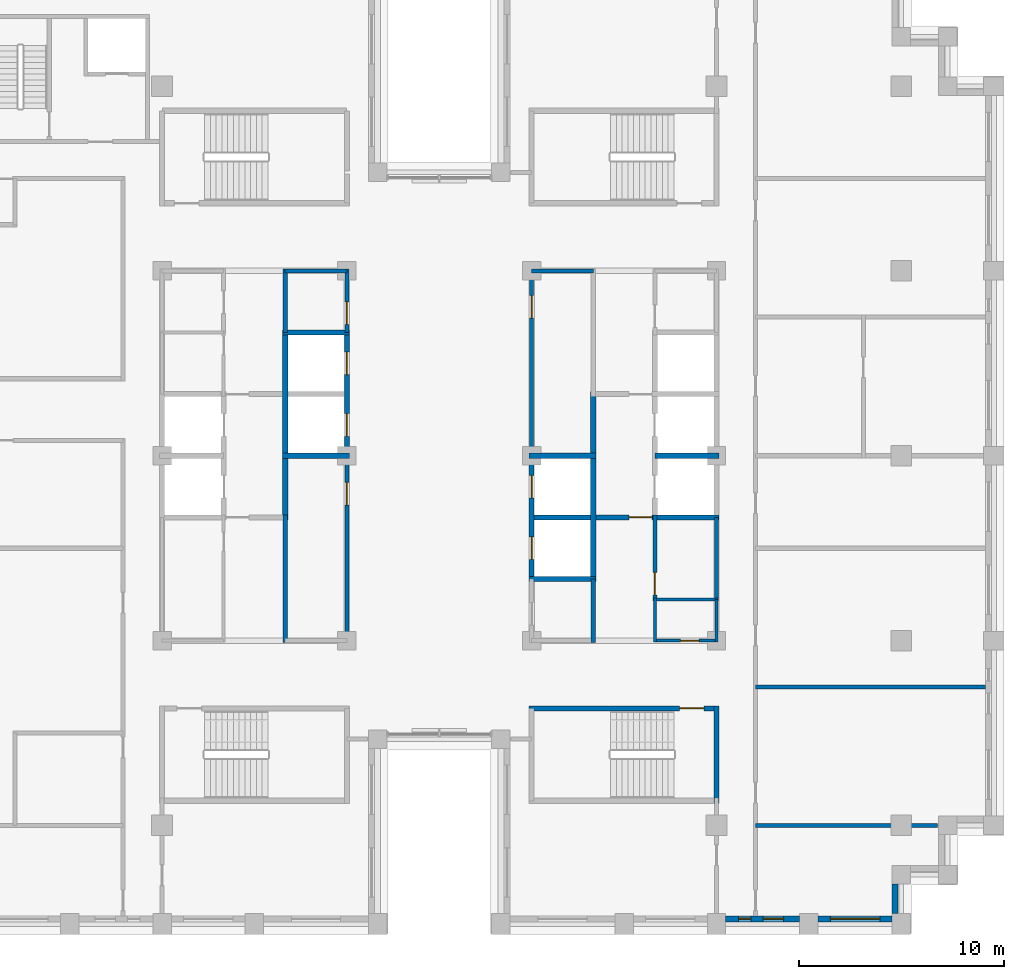
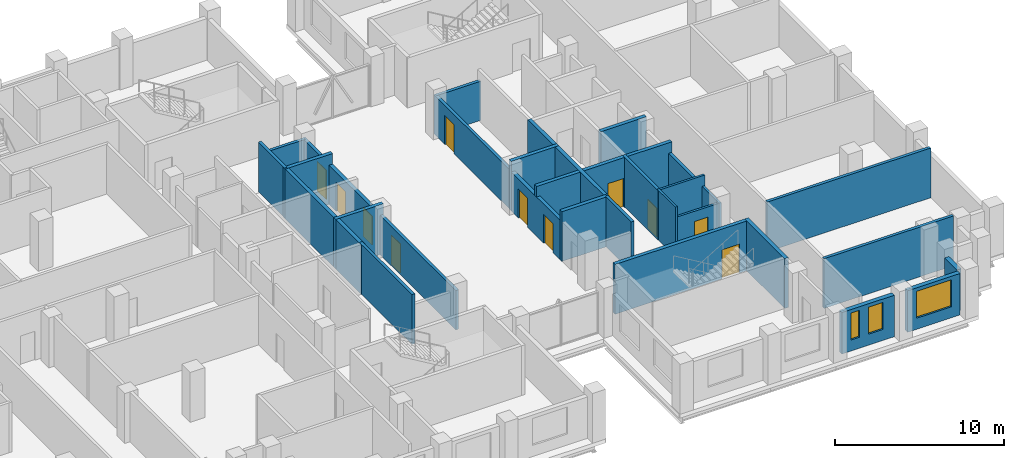
# One storey, part 8 of 15: 31 walls, 11 doors, 3 windows, 14 openings.
"""IFC4 building model written with IfcOpenShell, lengths in metres."""

from ifc_helpers import new_model, si_unit, direction, frame, frame_2d, origin, place, context, subcontext, project, spatial, rectangle, extrude, material, layer, layer_set, type_object, element, fill, save


model = new_model("IFC4")

# Units and contexts
model_context = context("Model", 3, precision=1e-05, world=origin(), true_north=direction((0.0, 1.0)))
body_context = subcontext(model_context, "Body", "Model", "MODEL_VIEW")
ifc_project = project(units=[si_unit("LENGTHUNIT", "METRE"), si_unit("AREAUNIT", "SQUARE_METRE"), si_unit("VOLUMEUNIT", "CUBIC_METRE"), si_unit("PLANEANGLEUNIT", "RADIAN"), si_unit("MASSUNIT", "GRAM", prefix="KILO")], contexts=[model_context])

# Site, building, storey
site_placement = place(None, origin())
site = spatial("IfcSite", under=ifc_project, at=site_placement, CompositionType="ELEMENT")
building_placement = place(site_placement, origin())
building = spatial("IfcBuilding", under=site, at=building_placement, Name="Corbelhall Arena Tower", CompositionType="ELEMENT")
storey_placement = place(building_placement, frame((0.0, 0.0, 232.0)))
storey = spatial("IfcBuildingStorey", under=building, at=storey_placement, Name="L49", CompositionType="ELEMENT", Elevation=232.0)

# Wall, openings, windows
ifc_material_1 = material(Name="Precast concrete C40/50 with granite facing", Category="masonry")
ifc_layer_1 = layer(ifc_material_1, 0.300048828125)
ifc_layer_set_1 = layer_set([ifc_layer_1], Name="EV-IW1 Infill panel 300")
wall_type_1 = type_object("IfcWallType", Name="EV-IW1 Infill panel 300", PredefinedType="SOLIDWALL", material=ifc_layer_set_1)
wall_1_placement = place(storey_placement, frame((13.949951171875, -22.550048828125, 0.0), z_axis=(0.0, 0.0, 1.0), x_axis=(1.0, 0.0, 0.0)))
wall_1 = element("IfcWall", 1, at=wall_1_placement, inside=storey, type_object=wall_type_1, Name="Infill panel IW1", PredefinedType="SOLIDWALL", context=body_context, shape_type="SweptSolid", body=[
    extrude(rectangle(XDim=3.60009765625, YDim=0.300048828125, at=frame_2d((1.800048828125, 0.0))), origin(), (0.0, 0.0, 1.0), 2.99951171875),
])
opening_1_placement = place(wall_1_placement, frame((0.625, 0.0, 0.800048828125)))
opening_1 = element("IfcOpeningElement", 2, at=opening_1_placement, cuts=wall_1, Name="Opening WN5", PredefinedType="OPENING", context=body_context, shape_type="SweptSolid", body=[
    extrude(rectangle(XDim=0.60009765625, YDim=1.949951171875, at=frame_2d((0.300048828125, 0.97509765625))), frame((0.0, 0.14990234375, 0.0), z_axis=(0.0, -1.0, 0.0), x_axis=(1.0, 0.0, 0.0)), (0.0, 0.0, 1.0), 0.300048828125),
])
opening_2_placement = place(wall_1_placement, frame((1.824951171875, 0.0, 0.800048828125)))
opening_2 = element("IfcOpeningElement", 3, at=opening_2_placement, cuts=wall_1, Name="Opening WN6", PredefinedType="OPENING", context=body_context, shape_type="SweptSolid", body=[
    extrude(rectangle(XDim=1.0, YDim=1.949951171875, at=frame_2d((0.5, 0.97509765625))), frame((0.0, 0.14990234375, 0.0), z_axis=(0.0, -1.0, 0.0), x_axis=(1.0, 0.0, 0.0)), (0.0, 0.0, 1.0), 0.300048828125),
])
ifc_material_2 = material(Name="Aluminium black anodised", Category="aluminium")
window_type_1 = type_object("IfcWindowType", Name="EV-WN5 Office window 600", PartitioningType="SINGLE_PANEL", PredefinedType="WINDOW", material=ifc_material_2)
window_1_placement = place(opening_1_placement, origin())
window_1 = element("IfcWindow", 4, at=window_1_placement, inside=storey, type_object=window_type_1, Name="Window WN5", OverallHeight=1.949951171875, OverallWidth=0.60009765625, PartitioningType="SINGLE_PANEL", PredefinedType="WINDOW", context=body_context, shape_type="SweptSolid", body=[
    extrude(rectangle(XDim=0.60009765625, YDim=1.949951171875, at=frame_2d((0.300048828125, 0.97509765625))), frame((0.0, 0.030029296875, 0.0), z_axis=(0.0, -1.0, 0.0), x_axis=(1.0, 0.0, 0.0)), (0.0, 0.0, 1.0), 0.06005859375),
])
fill(opening_1, window_1)
window_type_2 = type_object("IfcWindowType", Name="EV-WN6 Office window 1000", PartitioningType="SINGLE_PANEL", PredefinedType="WINDOW", material=ifc_material_2)
window_2_placement = place(opening_2_placement, origin())
window_2 = element("IfcWindow", 5, at=window_2_placement, inside=storey, type_object=window_type_2, Name="Window WN6", OverallHeight=1.949951171875, OverallWidth=1.0, PartitioningType="SINGLE_PANEL", PredefinedType="WINDOW", context=body_context, shape_type="SweptSolid", body=[
    extrude(rectangle(XDim=1.0, YDim=1.949951171875, at=frame_2d((0.5, 0.97509765625))), frame((0.0, 0.030029296875, 0.0), z_axis=(0.0, -1.0, 0.0), x_axis=(1.0, 0.0, 0.0)), (0.0, 0.0, 1.0), 0.06005859375),
])
fill(opening_2, window_2)

# Wall, opening, window
wall_2_placement = place(storey_placement, frame((18.449951171875, -22.550048828125, 0.0), z_axis=(0.0, 0.0, 1.0), x_axis=(1.0, 0.0, 0.0)))
wall_2 = element("IfcWall", 6, at=wall_2_placement, inside=storey, type_object=wall_type_1, Name="Infill panel IW1", PredefinedType="SOLIDWALL", context=body_context, shape_type="SweptSolid", body=[
    extrude(rectangle(XDim=3.60009765625, YDim=0.300048828125, at=frame_2d((1.800048828125, 0.0))), origin(), (0.0, 0.0, 1.0), 2.99951171875),
])
opening_3_placement = place(wall_2_placement, frame((0.60009765625, 0.0, 0.800048828125)))
opening_3 = element("IfcOpeningElement", 7, at=opening_3_placement, cuts=wall_2, Name="Opening WN1", PredefinedType="OPENING", context=body_context, shape_type="SweptSolid", body=[
    extrude(rectangle(XDim=2.39990234375, YDim=1.949951171875, at=frame_2d((1.199951171875, 0.97509765625))), frame((0.0, 0.14990234375, 0.0), z_axis=(0.0, -1.0, 0.0), x_axis=(1.0, 0.0, 0.0)), (0.0, 0.0, 1.0), 0.300048828125),
])
window_type_3 = type_object("IfcWindowType", Name="EV-WN1 Office window", PartitioningType="SINGLE_PANEL", PredefinedType="WINDOW", material=ifc_material_2)
window_3_placement = place(opening_3_placement, origin())
window_3 = element("IfcWindow", 8, at=window_3_placement, inside=storey, type_object=window_type_3, Name="Window WN1", OverallHeight=1.949951171875, OverallWidth=2.39990234375, PartitioningType="SINGLE_PANEL", PredefinedType="WINDOW", context=body_context, shape_type="SweptSolid", body=[
    extrude(rectangle(XDim=2.39990234375, YDim=1.949951171875, at=frame_2d((1.199951171875, 0.97509765625))), frame((0.0, 0.030029296875, 0.0), z_axis=(0.0, -1.0, 0.0), x_axis=(1.0, 0.0, 0.0)), (0.0, 0.0, 1.0), 0.06005859375),
])
fill(opening_3, window_3)

# Walls
wall_3_placement = place(storey_placement, frame((22.199951171875, -22.300048828125, 0.0), z_axis=(0.0, 0.0, 1.0), x_axis=(0.0, 1.0, 0.0)))
element("IfcWall", 9, at=wall_3_placement, inside=storey, type_object=wall_type_1, Name="Infill panel IW1", PredefinedType="SOLIDWALL", context=body_context, shape_type="SweptSolid", body=[
    extrude(rectangle(XDim=1.449951171875, YDim=0.300048828125, at=frame_2d((0.72509765625, 0.0))), origin(), (0.0, 0.0, 1.0), 2.99951171875),
])
ifc_material_3 = material(Name="Gypsum board on steel stud, acoustic", Category="steel")
ifc_layer_2 = layer(ifc_material_3, 0.199951171875)
ifc_layer_set_2 = layer_set([ifc_layer_2], Name="IN-W-DM200")
wall_type_2 = type_object("IfcWallType", Name="IN-W-DM200", PredefinedType="PARTITIONING", material=ifc_layer_set_2)
wall_4_placement = place(storey_placement, frame((15.39990234375, -18.0, 0.0), z_axis=(0.0, 0.0, 1.0), x_axis=(1.0, 0.0, 0.0)))
element("IfcWall", 10, at=wall_4_placement, inside=storey, type_object=wall_type_2, Name="Partition 026", PredefinedType="PARTITIONING", context=body_context, shape_type="SweptSolid", body=[
    extrude(rectangle(XDim=8.85009765625, YDim=0.199951171875, at=frame_2d((4.425048828125, 0.0))), origin(), (0.0, 0.0, 1.0), 3.599609375),
])
wall_5_placement = place(storey_placement, frame((15.39990234375, -11.25, 0.0), z_axis=(0.0, 0.0, 1.0), x_axis=(1.0, 0.0, 0.0)))
element("IfcWall", 11, at=wall_5_placement, inside=storey, type_object=wall_type_2, Name="Partition 028", PredefinedType="PARTITIONING", context=body_context, shape_type="SweptSolid", body=[
    extrude(rectangle(XDim=11.2001953125, YDim=0.199951171875, at=frame_2d((5.60009765625, 0.0))), origin(), (0.0, 0.0, 1.0), 3.599609375),
])
ifc_material_4 = material(Name="Concrete block wall", Category="concrete")
ifc_layer_3 = layer(ifc_material_4, 0.199951171875)
ifc_layer_set_3 = layer_set([ifc_layer_3], Name="IN-W-RS200")
wall_type_3 = type_object("IfcWallType", Name="IN-W-RS200", PredefinedType="SOLIDWALL", material=ifc_layer_set_3)
wall_6_placement = place(storey_placement, frame((-7.5, -9.10009765625, 0.0), z_axis=(0.0, 0.0, 1.0), x_axis=(0.0, 1.0, 0.0)))
element("IfcWall", 12, at=wall_6_placement, inside=storey, type_object=wall_type_3, Name="Partition 037", PredefinedType="SOLIDWALL", context=body_context, shape_type="SweptSolid", body=[
    extrude(rectangle(XDim=6.22509765625, YDim=0.199951171875, at=frame_2d((3.112548828125, 0.0))), origin(), (0.0, 0.0, 1.0), 3.599609375),
])
for number, where, z_axis, x_axis, name in (
    (13, (-7.5, 6.0, 0.0), (0.0, 0.0, 1.0), (0.0, 1.0, 0.0), "Partition 038"),
    (14, (7.5, -6.0, 0.0), (0.0, 0.0, 1.0), (0.0, -1.0, 0.0), "Partition 047"),
):
    element("IfcWall", number, at=place(storey_placement, frame(where, z_axis=z_axis, x_axis=x_axis)), inside=storey, type_object=wall_type_3, Name=name, PredefinedType="SOLIDWALL", context=body_context, shape_type="SweptSolid", body=[
        extrude(rectangle(XDim=3.10009765625, YDim=0.199951171875, at=frame_2d((1.550048828125, 0.0))), origin(), (0.0, 0.0, 1.0), 3.599609375),
    ])

# Wall, opening, door
wall_7_placement = place(storey_placement, frame((10.5, -2.875, 0.0), z_axis=(0.0, 0.0, 1.0), x_axis=(0.0, -1.0, 0.0)))
wall_7 = element("IfcWall", 15, at=wall_7_placement, inside=storey, type_object=wall_type_3, Name="Partition 049", PredefinedType="SOLIDWALL", context=body_context, shape_type="SweptSolid", body=[
    extrude(rectangle(XDim=4.199951171875, YDim=0.199951171875, at=frame_2d((2.10009765625, 0.0))), origin(), (0.0, 0.0, 1.0), 3.599609375),
])
opening_4_placement = place(wall_7_placement, frame((2.800048828125, 0.0, 0.0)))
opening_4 = element("IfcOpeningElement", 16, at=opening_4_placement, cuts=wall_7, Name="Opening 15013", PredefinedType="OPENING", context=body_context, shape_type="SweptSolid", body=[
    extrude(rectangle(XDim=1.10009765625, YDim=2.10009765625, at=frame_2d((0.550048828125, 1.050048828125))), frame((0.0, 0.10009765625, 0.0), z_axis=(0.0, -1.0, 0.0), x_axis=(1.0, 0.0, 0.0)), (0.0, 0.0, 1.0), 0.199951171875),
])
ifc_material_5 = material(Name="Steel door set", Category="steel")
door_type_1 = type_object("IfcDoorType", Name="IN-D-FD110", OperationType="NOTDEFINED", PredefinedType="DOOR", material=ifc_material_5)
door_1_placement = place(opening_4_placement, origin())
door_1 = element("IfcDoor", 17, at=door_1_placement, inside=storey, type_object=door_type_1, Name="Door 013", OperationType="SINGLE_SWING_RIGHT", OverallHeight=2.10009765625, OverallWidth=1.10009765625, PredefinedType="DOOR", context=body_context, shape_type="SweptSolid", body=[
    extrude(rectangle(XDim=1.10009765625, YDim=2.10009765625, at=frame_2d((0.550048828125, 1.050048828125))), frame((0.0, 0.02490234375, 0.0), z_axis=(0.0, -1.0, 0.0), x_axis=(1.0, 0.0, 0.0)), (0.0, 0.0, 1.0), 0.050048828125),
])
fill(opening_4, door_1)

# Wall
ifc_layer_4 = layer(ifc_material_4, 0.199951171875)
ifc_layer_set_4 = layer_set([ifc_layer_4], Name="IN-W-RS200 under beam 762 mm")
wall_type_4 = type_object("IfcWallType", Name="IN-W-RS200 under beam 762 mm", PredefinedType="SOLIDWALL", material=ifc_layer_set_4)
wall_8_placement = place(storey_placement, frame((-7.5, 9.0, 0.0), z_axis=(0.0, 0.0, 1.0), x_axis=(1.0, 0.0, 0.0)))
element("IfcWall", 18, at=wall_8_placement, inside=storey, type_object=wall_type_4, Name="Partition 039", PredefinedType="SOLIDWALL", context=body_context, shape_type="SweptSolid", body=[
    extrude(rectangle(XDim=3.0, YDim=0.199951171875, at=frame_2d((1.5, 0.0))), origin(), (0.0, 0.0, 1.0), 2.837646484375),
])

# Wall, opening, door
wall_9_placement = place(storey_placement, frame((-4.5, 0.0, 0.0), z_axis=(0.0, 0.0, 1.0), x_axis=(0.0, -1.0, 0.0)))
wall_9 = element("IfcWall", 19, at=wall_9_placement, inside=storey, type_object=wall_type_4, Name="Partition 041", PredefinedType="SOLIDWALL", context=body_context, shape_type="SweptSolid", body=[
    extrude(rectangle(XDim=9.10009765625, YDim=0.199951171875, at=frame_2d((4.550048828125, 0.0))), origin(), (0.0, 0.0, 1.0), 2.837646484375),
])
opening_5_placement = place(wall_9_placement, frame((1.300048828125, 0.0, 0.0)))
opening_5 = element("IfcOpeningElement", 20, at=opening_5_placement, cuts=wall_9, Name="Opening 15001", PredefinedType="OPENING", context=body_context, shape_type="SweptSolid", body=[
    extrude(rectangle(XDim=1.10009765625, YDim=2.10009765625, at=frame_2d((0.550048828125, 1.050048828125))), frame((0.0, 0.10009765625, 0.0), z_axis=(0.0, -1.0, 0.0), x_axis=(1.0, 0.0, 0.0)), (0.0, 0.0, 1.0), 0.199951171875),
])
door_2_placement = place(opening_5_placement, origin())
door_2 = element("IfcDoor", 21, at=door_2_placement, inside=storey, type_object=door_type_1, Name="Door 001", OperationType="SINGLE_SWING_RIGHT", OverallHeight=2.10009765625, OverallWidth=1.10009765625, PredefinedType="DOOR", context=body_context, shape_type="SweptSolid", body=[
    extrude(rectangle(XDim=1.10009765625, YDim=2.10009765625, at=frame_2d((0.550048828125, 1.050048828125))), frame((0.0, 0.02490234375, 0.0), z_axis=(0.0, -1.0, 0.0), x_axis=(1.0, 0.0, 0.0)), (0.0, 0.0, 1.0), 0.050048828125),
])
fill(opening_5, door_2)

wall_10_placement = place(storey_placement, frame((-4.5, 9.10009765625, 0.0), z_axis=(0.0, 0.0, 1.0), x_axis=(0.0, -1.0, 0.0)))
wall_10 = element("IfcWall", 22, at=wall_10_placement, inside=storey, type_object=wall_type_4, Name="Partition 042", PredefinedType="SOLIDWALL", context=body_context, shape_type="SweptSolid", body=[
    extrude(rectangle(XDim=3.10009765625, YDim=0.199951171875, at=frame_2d((1.550048828125, 0.0))), origin(), (0.0, 0.0, 1.0), 2.837646484375),
])
opening_6_placement = place(wall_10_placement, frame((1.60009765625, 0.0, 0.0)))
opening_6 = element("IfcOpeningElement", 23, at=opening_6_placement, cuts=wall_10, Name="Opening 15002", PredefinedType="OPENING", context=body_context, shape_type="SweptSolid", body=[
    extrude(rectangle(XDim=1.10009765625, YDim=2.10009765625, at=frame_2d((0.550048828125, 1.050048828125))), frame((0.0, 0.10009765625, 0.0), z_axis=(0.0, -1.0, 0.0), x_axis=(1.0, 0.0, 0.0)), (0.0, 0.0, 1.0), 0.199951171875),
])
door_3_placement = place(opening_6_placement, origin())
door_3 = element("IfcDoor", 24, at=door_3_placement, inside=storey, type_object=door_type_1, Name="Door 002", OperationType="SINGLE_SWING_LEFT", OverallHeight=2.10009765625, OverallWidth=1.10009765625, PredefinedType="DOOR", context=body_context, shape_type="SweptSolid", body=[
    extrude(rectangle(XDim=1.10009765625, YDim=2.10009765625, at=frame_2d((0.550048828125, 1.050048828125))), frame((0.0, 0.02490234375, 0.0), z_axis=(0.0, -1.0, 0.0), x_axis=(1.0, 0.0, 0.0)), (0.0, 0.0, 1.0), 0.050048828125),
])
fill(opening_6, door_3)

wall_11_placement = place(storey_placement, frame((4.5, 0.0, 0.0), z_axis=(0.0, 0.0, 1.0), x_axis=(0.0, 1.0, 0.0)))
wall_11 = element("IfcWall", 25, at=wall_11_placement, inside=storey, type_object=wall_type_4, Name="Partition 044", PredefinedType="SOLIDWALL", context=body_context, shape_type="SweptSolid", body=[
    extrude(rectangle(XDim=9.10009765625, YDim=0.199951171875, at=frame_2d((4.550048828125, 0.0))), origin(), (0.0, 0.0, 1.0), 2.837646484375),
])
opening_7_placement = place(wall_11_placement, frame((6.699951171875, 0.0, 0.0)))
opening_7 = element("IfcOpeningElement", 26, at=opening_7_placement, cuts=wall_11, Name="Opening 15009", PredefinedType="OPENING", context=body_context, shape_type="SweptSolid", body=[
    extrude(rectangle(XDim=1.10009765625, YDim=2.10009765625, at=frame_2d((0.550048828125, 1.050048828125))), frame((0.0, 0.10009765625, 0.0), z_axis=(0.0, -1.0, 0.0), x_axis=(1.0, 0.0, 0.0)), (0.0, 0.0, 1.0), 0.199951171875),
])
door_4_placement = place(opening_7_placement, origin())
door_4 = element("IfcDoor", 27, at=door_4_placement, inside=storey, type_object=door_type_1, Name="Door 009", OperationType="SINGLE_SWING_RIGHT", OverallHeight=2.10009765625, OverallWidth=1.10009765625, PredefinedType="DOOR", context=body_context, shape_type="SweptSolid", body=[
    extrude(rectangle(XDim=1.10009765625, YDim=2.10009765625, at=frame_2d((0.550048828125, 1.050048828125))), frame((0.0, 0.02490234375, 0.0), z_axis=(0.0, -1.0, 0.0), x_axis=(1.0, 0.0, 0.0)), (0.0, 0.0, 1.0), 0.050048828125),
])
fill(opening_7, door_4)

# Walls
wall_12_placement = place(storey_placement, frame((4.5, 9.0, 0.0), z_axis=(0.0, 0.0, 1.0), x_axis=(1.0, 0.0, 0.0)))
element("IfcWall", 28, at=wall_12_placement, inside=storey, type_object=wall_type_4, Name="Partition 045", PredefinedType="SOLIDWALL", context=body_context, shape_type="SweptSolid", body=[
    extrude(rectangle(XDim=3.0, YDim=0.199951171875, at=frame_2d((1.5, 0.0))), origin(), (0.0, 0.0, 1.0), 2.837646484375),
])
wall_13_placement = place(storey_placement, frame((13.5, -3.0, 0.0), z_axis=(0.0, 0.0, 1.0), x_axis=(0.0, -1.0, 0.0)))
element("IfcWall", 29, at=wall_13_placement, inside=storey, type_object=wall_type_4, Name="Partition 052", PredefinedType="SOLIDWALL", context=body_context, shape_type="SweptSolid", body=[
    extrude(rectangle(XDim=4.0, YDim=0.199951171875, at=frame_2d((2.0, 0.0))), origin(), (0.0, 0.0, 1.0), 2.837646484375),
])
ifc_material_6 = material(Name="Concrete C40/50", Category="concrete")
ifc_layer_5 = layer(ifc_material_6, 0.25)
ifc_layer_set_5 = layer_set([ifc_layer_5], Name="IN-W-SH250")
wall_type_5 = type_object("IfcWallType", Name="IN-W-SH250", PredefinedType="SOLIDWALL", material=ifc_layer_set_5)
for number, where, z_axis, x_axis, name in (
    (30, (-7.625, 0.0, 0.0), (0.0, 0.0, 1.0), (1.0, 0.0, 0.0), "Shaft wall 059"),
    (31, (-7.625, 6.0, 0.0), (0.0, 0.0, 1.0), (1.0, 0.0, 0.0), "Shaft wall 060"),
):
    element("IfcWall", number, at=place(storey_placement, frame(where, z_axis=z_axis, x_axis=x_axis)), inside=storey, type_object=wall_type_5, Name=name, PredefinedType="SOLIDWALL", context=body_context, shape_type="SweptSolid", body=[
        extrude(rectangle(XDim=3.25, YDim=0.25, at=frame_2d((1.625, 0.0))), origin(), (0.0, 0.0, 1.0), 3.599609375),
    ])
wall_14_placement = place(storey_placement, frame((-7.5, -3.125, 0.0), z_axis=(0.0, 0.0, 1.0), x_axis=(0.0, 1.0, 0.0)))
element("IfcWall", 32, at=wall_14_placement, inside=storey, type_object=wall_type_5, Name="Shaft wall 061", PredefinedType="SOLIDWALL", context=body_context, shape_type="SweptSolid", body=[
    extrude(rectangle(XDim=9.125, YDim=0.25, at=frame_2d((4.5625, 0.0))), origin(), (0.0, 0.0, 1.0), 3.599609375),
])
wall_15_placement = place(storey_placement, frame((4.375, -6.0, 0.0), z_axis=(0.0, 0.0, 1.0), x_axis=(1.0, 0.0, 0.0)))
element("IfcWall", 33, at=wall_15_placement, inside=storey, type_object=wall_type_5, Name="Shaft wall 063", PredefinedType="SOLIDWALL", context=body_context, shape_type="SweptSolid", body=[
    extrude(rectangle(XDim=3.25, YDim=0.25, at=frame_2d((1.625, 0.0))), origin(), (0.0, 0.0, 1.0), 3.599609375),
])

# Wall, opening, door
wall_16_placement = place(storey_placement, frame((4.375, -3.0, 0.0), z_axis=(0.0, 0.0, 1.0), x_axis=(1.0, 0.0, 0.0)))
wall_16 = element("IfcWall", 34, at=wall_16_placement, inside=storey, type_object=wall_type_5, Name="Shaft wall 064", PredefinedType="SOLIDWALL", context=body_context, shape_type="SweptSolid", body=[
    extrude(rectangle(XDim=9.25, YDim=0.25, at=frame_2d((4.625, 0.0))), origin(), (0.0, 0.0, 1.0), 3.599609375),
])
opening_8_placement = place(wall_16_placement, frame((4.875, 0.0, 0.0)))
opening_8 = element("IfcOpeningElement", 35, at=opening_8_placement, cuts=wall_16, Name="Opening 15010", PredefinedType="OPENING", context=body_context, shape_type="SweptSolid", body=[
    extrude(rectangle(XDim=1.10009765625, YDim=2.10009765625, at=frame_2d((0.550048828125, 1.050048828125))), frame((0.0, 0.125, 0.0), z_axis=(0.0, -1.0, 0.0), x_axis=(1.0, 0.0, 0.0)), (0.0, 0.0, 1.0), 0.25),
])
door_5_placement = place(opening_8_placement, origin())
door_5 = element("IfcDoor", 36, at=door_5_placement, inside=storey, type_object=door_type_1, Name="Door 010", OperationType="SINGLE_SWING_LEFT", OverallHeight=2.10009765625, OverallWidth=1.10009765625, PredefinedType="DOOR", context=body_context, shape_type="SweptSolid", body=[
    extrude(rectangle(XDim=1.10009765625, YDim=2.10009765625, at=frame_2d((0.550048828125, 1.050048828125))), frame((0.0, 0.02490234375, 0.0), z_axis=(0.0, -1.0, 0.0), x_axis=(1.0, 0.0, 0.0)), (0.0, 0.0, 1.0), 0.050048828125),
])
fill(opening_8, door_5)

# Walls
wall_17_placement = place(storey_placement, frame((4.375, 0.0, 0.0), z_axis=(0.0, 0.0, 1.0), x_axis=(1.0, 0.0, 0.0)))
element("IfcWall", 37, at=wall_17_placement, inside=storey, type_object=wall_type_5, Name="Shaft wall 065", PredefinedType="SOLIDWALL", context=body_context, shape_type="SweptSolid", body=[
    extrude(rectangle(XDim=3.25, YDim=0.25, at=frame_2d((1.625, 0.0))), origin(), (0.0, 0.0, 1.0), 3.599609375),
])
wall_18_placement = place(storey_placement, frame((7.5, 3.125, 0.0), z_axis=(0.0, 0.0, 1.0), x_axis=(0.0, -1.0, 0.0)))
element("IfcWall", 38, at=wall_18_placement, inside=storey, type_object=wall_type_5, Name="Shaft wall 067", PredefinedType="SOLIDWALL", context=body_context, shape_type="SweptSolid", body=[
    extrude(rectangle(XDim=9.125, YDim=0.25, at=frame_2d((4.5625, 0.0))), origin(), (0.0, 0.0, 1.0), 3.599609375),
])
wall_19_placement = place(storey_placement, frame((10.5, 0.0, 0.0), z_axis=(0.0, 0.0, 1.0), x_axis=(1.0, 0.0, 0.0)))
element("IfcWall", 39, at=wall_19_placement, inside=storey, type_object=wall_type_5, Name="Shaft wall 069", PredefinedType="SOLIDWALL", context=body_context, shape_type="SweptSolid", body=[
    extrude(rectangle(XDim=3.125, YDim=0.25, at=frame_2d((1.5625, 0.0))), origin(), (0.0, 0.0, 1.0), 3.599609375),
])

# Wall, openings, doors
ifc_layer_6 = layer(ifc_material_6, 0.25)
ifc_layer_set_6 = layer_set([ifc_layer_6], Name="IN-W-SH250 under beam 762 mm")
wall_type_6 = type_object("IfcWallType", Name="IN-W-SH250 under beam 762 mm", PredefinedType="SOLIDWALL", material=ifc_layer_set_6)
wall_20_placement = place(storey_placement, frame((-4.5, 6.0, 0.0), z_axis=(0.0, 0.0, 1.0), x_axis=(0.0, -1.0, 0.0)))
wall_20 = element("IfcWall", 40, at=wall_20_placement, inside=storey, type_object=wall_type_6, Name="Shaft wall 062", PredefinedType="SOLIDWALL", context=body_context, shape_type="SweptSolid", body=[
    extrude(rectangle(XDim=6.0, YDim=0.25, at=frame_2d((3.0, 0.0))), origin(), (0.0, 0.0, 1.0), 2.837646484375),
])
opening_9_placement = place(wall_20_placement, frame((3.949951171875, 0.0, 0.0)))
opening_9 = element("IfcOpeningElement", 41, at=opening_9_placement, cuts=wall_20, Name="Opening LD", PredefinedType="OPENING", context=body_context, shape_type="SweptSolid", body=[
    extrude(rectangle(XDim=1.10009765625, YDim=2.10009765625, at=frame_2d((0.550048828125, 1.050048828125))), frame((0.0, 0.125, 0.0), z_axis=(0.0, -1.0, 0.0), x_axis=(1.0, 0.0, 0.0)), (0.0, 0.0, 1.0), 0.25),
])
opening_10_placement = place(wall_20_placement, frame((0.949951171875, 0.0, 0.0)))
opening_10 = element("IfcOpeningElement", 42, at=opening_10_placement, cuts=wall_20, Name="Opening LD", PredefinedType="OPENING", context=body_context, shape_type="SweptSolid", body=[
    extrude(rectangle(XDim=1.10009765625, YDim=2.10009765625, at=frame_2d((0.550048828125, 1.050048828125))), frame((0.0, 0.125, 0.0), z_axis=(0.0, -1.0, 0.0), x_axis=(1.0, 0.0, 0.0)), (0.0, 0.0, 1.0), 0.25),
])
door_type_2 = type_object("IfcDoorType", Name="IN-D-LD110", OperationType="NOTDEFINED", PredefinedType="DOOR", material=ifc_material_5)
door_6_placement = place(opening_9_placement, origin())
door_6 = element("IfcDoor", 43, at=door_6_placement, inside=storey, type_object=door_type_2, Name="Landing door W4", OperationType="SLIDING_TO_LEFT", OverallHeight=2.10009765625, OverallWidth=1.10009765625, PredefinedType="DOOR", context=body_context, shape_type="SweptSolid", body=[
    extrude(rectangle(XDim=1.10009765625, YDim=2.10009765625, at=frame_2d((0.550048828125, 1.050048828125))), frame((0.0, 0.02490234375, 0.0), z_axis=(0.0, -1.0, 0.0), x_axis=(1.0, 0.0, 0.0)), (0.0, 0.0, 1.0), 0.050048828125),
])
fill(opening_9, door_6)
door_7_placement = place(opening_10_placement, origin())
door_7 = element("IfcDoor", 44, at=door_7_placement, inside=storey, type_object=door_type_2, Name="Landing door W5", OperationType="SLIDING_TO_LEFT", OverallHeight=2.10009765625, OverallWidth=1.10009765625, PredefinedType="DOOR", context=body_context, shape_type="SweptSolid", body=[
    extrude(rectangle(XDim=1.10009765625, YDim=2.10009765625, at=frame_2d((0.550048828125, 1.050048828125))), frame((0.0, 0.02490234375, 0.0), z_axis=(0.0, -1.0, 0.0), x_axis=(1.0, 0.0, 0.0)), (0.0, 0.0, 1.0), 0.050048828125),
])
fill(opening_10, door_7)

wall_21_placement = place(storey_placement, frame((4.5, -6.0, 0.0), z_axis=(0.0, 0.0, 1.0), x_axis=(0.0, 1.0, 0.0)))
wall_21 = element("IfcWall", 45, at=wall_21_placement, inside=storey, type_object=wall_type_6, Name="Shaft wall 066", PredefinedType="SOLIDWALL", context=body_context, shape_type="SweptSolid", body=[
    extrude(rectangle(XDim=6.0, YDim=0.25, at=frame_2d((3.0, 0.0))), origin(), (0.0, 0.0, 1.0), 2.837646484375),
])
opening_11_placement = place(wall_21_placement, frame((0.949951171875, 0.0, 0.0)))
opening_11 = element("IfcOpeningElement", 46, at=opening_11_placement, cuts=wall_21, Name="Opening LD", PredefinedType="OPENING", context=body_context, shape_type="SweptSolid", body=[
    extrude(rectangle(XDim=1.10009765625, YDim=2.10009765625, at=frame_2d((0.550048828125, 1.050048828125))), frame((0.0, 0.125, 0.0), z_axis=(0.0, -1.0, 0.0), x_axis=(1.0, 0.0, 0.0)), (0.0, 0.0, 1.0), 0.25),
])
opening_12_placement = place(wall_21_placement, frame((3.949951171875, 0.0, 0.0)))
opening_12 = element("IfcOpeningElement", 47, at=opening_12_placement, cuts=wall_21, Name="Opening LD", PredefinedType="OPENING", context=body_context, shape_type="SweptSolid", body=[
    extrude(rectangle(XDim=1.10009765625, YDim=2.10009765625, at=frame_2d((0.550048828125, 1.050048828125))), frame((0.0, 0.125, 0.0), z_axis=(0.0, -1.0, 0.0), x_axis=(1.0, 0.0, 0.0)), (0.0, 0.0, 1.0), 0.25),
])
door_8_placement = place(opening_11_placement, origin())
door_8 = element("IfcDoor", 48, at=door_8_placement, inside=storey, type_object=door_type_2, Name="Landing door E2", OperationType="SLIDING_TO_LEFT", OverallHeight=2.10009765625, OverallWidth=1.10009765625, PredefinedType="DOOR", context=body_context, shape_type="SweptSolid", body=[
    extrude(rectangle(XDim=1.10009765625, YDim=2.10009765625, at=frame_2d((0.550048828125, 1.050048828125))), frame((0.0, 0.02490234375, 0.0), z_axis=(0.0, -1.0, 0.0), x_axis=(1.0, 0.0, 0.0)), (0.0, 0.0, 1.0), 0.050048828125),
])
fill(opening_11, door_8)
door_9_placement = place(opening_12_placement, origin())
door_9 = element("IfcDoor", 49, at=door_9_placement, inside=storey, type_object=door_type_2, Name="Landing door E3", OperationType="SLIDING_TO_LEFT", OverallHeight=2.10009765625, OverallWidth=1.10009765625, PredefinedType="DOOR", context=body_context, shape_type="SweptSolid", body=[
    extrude(rectangle(XDim=1.10009765625, YDim=2.10009765625, at=frame_2d((0.550048828125, 1.050048828125))), frame((0.0, 0.02490234375, 0.0), z_axis=(0.0, -1.0, 0.0), x_axis=(1.0, 0.0, 0.0)), (0.0, 0.0, 1.0), 0.050048828125),
])
fill(opening_12, door_9)

# Wall
ifc_layer_7 = layer(ifc_material_6, 0.25)
ifc_layer_set_7 = layer_set([ifc_layer_7], Name="IN-W-ST250")
wall_type_7 = type_object("IfcWallType", Name="IN-W-ST250", PredefinedType="SOLIDWALL", material=ifc_layer_set_7)
wall_22_placement = place(storey_placement, frame((13.5, -16.925048828125, 0.0), z_axis=(0.0, 0.0, 1.0), x_axis=(0.0, 1.0, 0.0)))
element("IfcWall", 50, at=wall_22_placement, inside=storey, type_object=wall_type_7, Name="Shaft wall 092", PredefinedType="SOLIDWALL", context=body_context, shape_type="SweptSolid", body=[
    extrude(rectangle(XDim=4.75, YDim=0.25, at=frame_2d((2.375, 0.0))), origin(), (0.0, 0.0, 1.0), 3.599609375),
])

# Wall, opening, door
wall_23_placement = place(storey_placement, frame((13.5, -12.300048828125, 0.0), z_axis=(0.0, 0.0, 1.0), x_axis=(-1.0, 0.0, 0.0)))
wall_23 = element("IfcWall", 51, at=wall_23_placement, inside=storey, type_object=wall_type_7, Name="Shaft wall 094", PredefinedType="SOLIDWALL", context=body_context, shape_type="SweptSolid", body=[
    extrude(rectangle(XDim=9.125, YDim=0.25, at=frame_2d((4.5625, 0.0))), origin(), (0.0, 0.0, 1.0), 3.599609375),
])
opening_13_placement = place(wall_23_placement, frame((0.60009765625, 0.0, 0.0)))
opening_13 = element("IfcOpeningElement", 52, at=opening_13_placement, cuts=wall_23, Name="Opening 15018", PredefinedType="OPENING", context=body_context, shape_type="SweptSolid", body=[
    extrude(rectangle(XDim=1.199951171875, YDim=2.10009765625, at=frame_2d((0.60009765625, 1.050048828125))), frame((0.0, 0.125, 0.0), z_axis=(0.0, -1.0, 0.0), x_axis=(1.0, 0.0, 0.0)), (0.0, 0.0, 1.0), 0.25),
])
door_type_3 = type_object("IfcDoorType", Name="IN-D-ST120", OperationType="NOTDEFINED", PredefinedType="DOOR", material=ifc_material_5)
door_10_placement = place(opening_13_placement, origin())
door_10 = element("IfcDoor", 53, at=door_10_placement, inside=storey, type_object=door_type_3, Name="Door 018", OperationType="SINGLE_SWING_LEFT", OverallHeight=2.10009765625, OverallWidth=1.199951171875, PredefinedType="DOOR", context=body_context, shape_type="SweptSolid", body=[
    extrude(rectangle(XDim=1.199951171875, YDim=2.10009765625, at=frame_2d((0.60009765625, 1.050048828125))), frame((0.0, 0.02490234375, 0.0), z_axis=(0.0, -1.0, 0.0), x_axis=(1.0, 0.0, 0.0)), (0.0, 0.0, 1.0), 0.050048828125),
])
fill(opening_13, door_10)

# Walls
ifc_material_7 = material(Name="Gypsum board on steel stud, moisture resistant", Category="steel")
ifc_layer_8 = layer(ifc_material_7, 0.14990234375)
ifc_layer_set_8 = layer_set([ifc_layer_8], Name="IN-W-WC150")
wall_type_8 = type_object("IfcWallType", Name="IN-W-WC150", PredefinedType="PARTITIONING", material=ifc_layer_set_8)
wall_24_placement = place(storey_placement, frame((10.5, -7.0, 0.0), z_axis=(0.0, 0.0, 1.0), x_axis=(1.0, 0.0, 0.0)))
element("IfcWall", 54, at=wall_24_placement, inside=storey, type_object=wall_type_8, Name="Partition 102", PredefinedType="PARTITIONING", context=body_context, shape_type="SweptSolid", body=[
    extrude(rectangle(XDim=3.10009765625, YDim=0.14990234375, at=frame_2d((1.550048828125, 0.0))), origin(), (0.0, 0.0, 1.0), 3.599609375),
])
wall_25_placement = place(storey_placement, frame((10.5, -6.925048828125, 0.0), z_axis=(0.0, 0.0, 1.0), x_axis=(0.0, -1.0, 0.0)))
element("IfcWall", 55, at=wall_25_placement, inside=storey, type_object=wall_type_8, Name="Partition 103", PredefinedType="PARTITIONING", context=body_context, shape_type="SweptSolid", body=[
    extrude(rectangle(XDim=2.14990234375, YDim=0.14990234375, at=frame_2d((1.074951171875, 0.0))), origin(), (0.0, 0.0, 1.0), 3.599609375),
])

# Wall, opening, door
ifc_layer_9 = layer(ifc_material_7, 0.14990234375)
ifc_layer_set_9 = layer_set([ifc_layer_9], Name="IN-W-WC150 under beam 762 mm")
wall_type_9 = type_object("IfcWallType", Name="IN-W-WC150 under beam 762 mm", PredefinedType="PARTITIONING", material=ifc_layer_set_9)
wall_26_placement = place(storey_placement, frame((13.5, -9.0, 0.0), z_axis=(0.0, 0.0, 1.0), x_axis=(-1.0, 0.0, 0.0)))
wall_26 = element("IfcWall", 56, at=wall_26_placement, inside=storey, type_object=wall_type_9, Name="Partition 104", PredefinedType="PARTITIONING", context=body_context, shape_type="SweptSolid", body=[
    extrude(rectangle(XDim=3.0, YDim=0.14990234375, at=frame_2d((1.5, 0.0))), origin(), (0.0, 0.0, 1.0), 2.837646484375),
])
opening_14_placement = place(wall_26_placement, frame((0.85009765625, 0.0, 0.0)))
opening_14 = element("IfcOpeningElement", 57, at=opening_14_placement, cuts=wall_26, Name="Opening 15012", PredefinedType="OPENING", context=body_context, shape_type="SweptSolid", body=[
    extrude(rectangle(XDim=0.89990234375, YDim=2.10009765625, at=frame_2d((0.449951171875, 1.050048828125))), frame((0.0, 0.074951171875, 0.0), z_axis=(0.0, -1.0, 0.0), x_axis=(1.0, 0.0, 0.0)), (0.0, 0.0, 1.0), 0.14990234375),
])
ifc_material_8 = material(Name="Timber door set", Category="wood")
door_type_4 = type_object("IfcDoorType", Name="IN-D-SW90", OperationType="NOTDEFINED", PredefinedType="DOOR", material=ifc_material_8)
door_11_placement = place(opening_14_placement, origin())
door_11 = element("IfcDoor", 58, at=door_11_placement, inside=storey, type_object=door_type_4, Name="Door 012", OperationType="SINGLE_SWING_LEFT", OverallHeight=2.10009765625, OverallWidth=0.89990234375, PredefinedType="DOOR", context=body_context, shape_type="SweptSolid", body=[
    extrude(rectangle(XDim=0.89990234375, YDim=2.10009765625, at=frame_2d((0.449951171875, 1.050048828125))), frame((0.0, 0.02490234375, 0.0), z_axis=(0.0, -1.0, 0.0), x_axis=(1.0, 0.0, 0.0)), (0.0, 0.0, 1.0), 0.050048828125),
])
fill(opening_14, door_11)

# Wall
wall_27_placement = place(storey_placement, frame((13.5, -7.0, 0.0), z_axis=(0.0, 0.0, 1.0), x_axis=(0.0, -1.0, 0.0)))
element("IfcWall", 59, at=wall_27_placement, inside=storey, type_object=wall_type_9, Name="Partition 105", PredefinedType="PARTITIONING", context=body_context, shape_type="SweptSolid", body=[
    extrude(rectangle(XDim=2.074951171875, YDim=0.14990234375, at=frame_2d((1.03759765625, 0.0))), origin(), (0.0, 0.0, 1.0), 2.837646484375),
])

save(model, "model.ifc")
